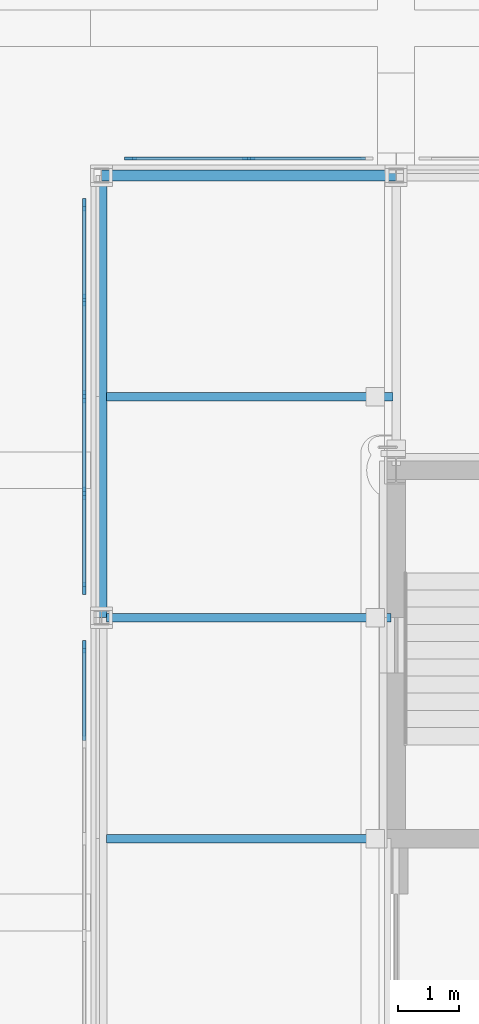
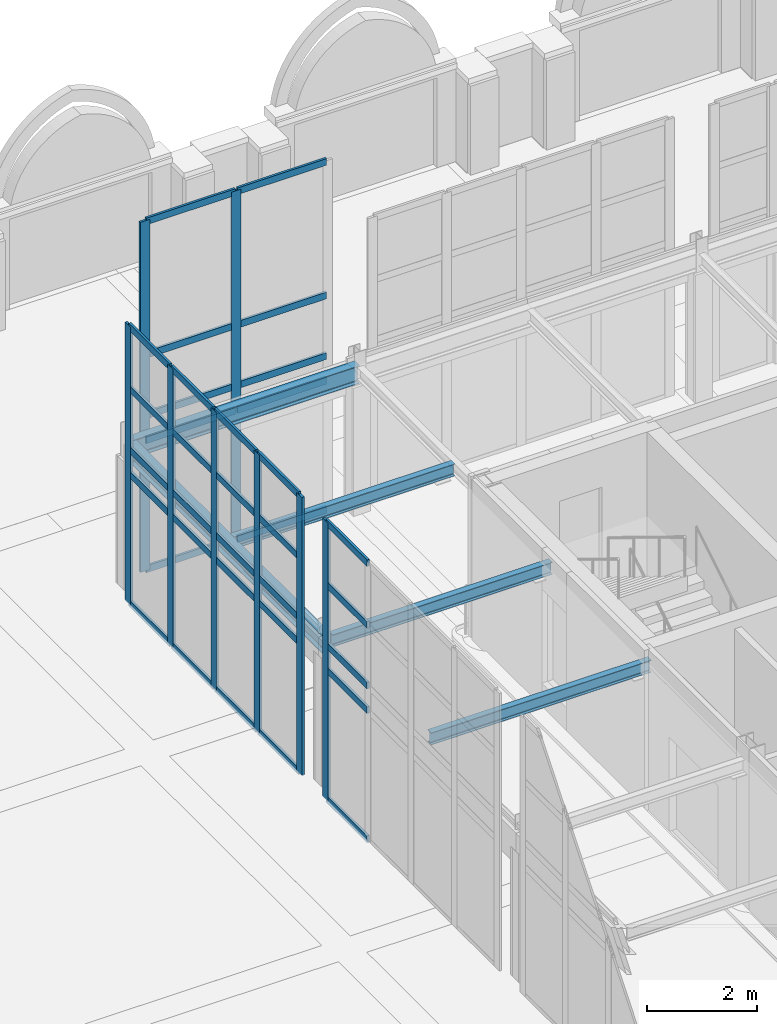
# One storey, part 49 of 143: 43 members, 5 beams, 3 elements without a shape of their own.
"""IFC4 building model written with IfcOpenShell, lengths in metres."""

import ifcopenshell
import ifcopenshell.guid

model = None  # the IFC model being written
_history = None  # IfcOwnerHistory: only IFC2X3 demands one
_inside = {}  # id of a spatial element -> (the spatial element, [elements in it])
_under = {}  # id of a project, library or spatial element -> (it, [spatial elements below it])
_declared = {}  # id of a project -> (the project, [libraries it declares])
_typed = {}  # id of a type object -> (the type object, [elements of that type])
_made_of = {}  # id of a material, layer set ... -> (it, [elements and type objects made of it])


def new_model(schema):
    """Start an empty IFC model of exactly this schema.

    Asked for "IFC4X3", IfcOpenShell would pick the latest addendum, in which some entities
    have other attributes; the version numbers below select the first issue.
    IFC2X3 requires an IfcOwnerHistory on every rooted entity: one is made here for all.
    """
    global model, _history
    if schema == "IFC4X3":
        model = ifcopenshell.file(schema_version=(4, 3, 0, 0))
    else:
        model = ifcopenshell.file(schema=schema)
    _inside.clear()
    _under.clear()
    _declared.clear()
    _typed.clear()
    _made_of.clear()
    _history = None
    if model.schema == "IFC2X3":
        org = make("IfcOrganization", Name="unknown")
        user = make(
            "IfcPersonAndOrganization",
            ThePerson=make("IfcPerson", FamilyName="unknown"),
            TheOrganization=org,
        )
        app = make(
            "IfcApplication",
            ApplicationDeveloper=org,
            Version="unknown",
            ApplicationFullName="unknown",
            ApplicationIdentifier="unknown",
        )
        _history = make(
            "IfcOwnerHistory",
            OwningUser=user,
            OwningApplication=app,
            ChangeAction="ADDED",
            CreationDate=0,
        )
    return model


def make(cls, **values):
    """One entity of the class cls with the attributes given. An attribute that is None is left unset."""
    return model.create_entity(
        cls, **{name: value for name, value in values.items() if value is not None}
    )


def rooted(cls, **values):
    """An entity with a GlobalId (a new one), such as an element, a storey or a relation."""
    return make(cls, GlobalId=ifcopenshell.guid.new(), OwnerHistory=_history, **values)


def si_unit(unit_type, name, prefix=None):
    """IfcSIUnit, for example si_unit("LENGTHUNIT", "METRE", prefix="MILLI")."""
    return make("IfcSIUnit", UnitType=unit_type, Prefix=prefix, Name=name)


def assignment(units):
    """IfcUnitAssignment: the units of a project."""
    return None if units is None else make("IfcUnitAssignment", Units=units)


def point(xyz):
    """IfcCartesianPoint."""
    return None if xyz is None else make("IfcCartesianPoint", Coordinates=xyz)


def direction(xyz):
    """IfcDirection."""
    return None if xyz is None else make("IfcDirection", DirectionRatios=xyz)


def frame(location, z_axis=None, x_axis=None):
    """IfcAxis2Placement3D, a coordinate frame: its origin and axes. An axis left out is left unset."""
    return make(
        "IfcAxis2Placement3D",
        Location=point(location),
        Axis=direction(z_axis),
        RefDirection=direction(x_axis),
    )


def frame_2d(location, x_axis=None):
    """IfcAxis2Placement2D, a coordinate frame in the plane: its origin and x axis."""
    return make(
        "IfcAxis2Placement2D", Location=point(location), RefDirection=direction(x_axis)
    )


def origin():
    """The frame at (0, 0, 0) with its axes left unset."""
    return frame((0.0, 0.0, 0.0))


def origin_2d():
    """The frame at (0, 0) in the plane with its x axis left unset."""
    return frame_2d((0.0, 0.0))


def place(relative_to, where):
    """IfcLocalPlacement: puts the frame where relative to a parent placement (None: the world)."""
    return make(
        "IfcLocalPlacement", PlacementRelTo=relative_to, RelativePlacement=where
    )


def context(
    kind, dimensions, precision=None, world=None, true_north=None, identifier=None
):
    """IfcGeometricRepresentationContext, for example the 3D "Model" context."""
    return make(
        "IfcGeometricRepresentationContext",
        ContextIdentifier=identifier,
        ContextType=kind,
        CoordinateSpaceDimension=dimensions,
        Precision=precision,
        WorldCoordinateSystem=world,
        TrueNorth=true_north,
    )


def subcontext(parent, identifier, kind, view, scale=None):
    """IfcGeometricRepresentationSubContext, for example "Body" below "Model"."""
    return make(
        "IfcGeometricRepresentationSubContext",
        ContextIdentifier=identifier,
        ContextType=kind,
        ParentContext=parent,
        TargetScale=scale,
        TargetView=view,
    )


def project(units=None, contexts=None):
    """IfcProject with its units and contexts."""
    return rooted(
        "IfcProject",
        Name="project",
        RepresentationContexts=contexts,
        UnitsInContext=assignment(units),
    )


def spatial(cls, under=None, at=None, **own):
    """A site, building, storey or space (cls), placed at a placement, below another one or the project."""
    s = rooted(cls, ObjectPlacement=at, **own)
    if under is not None:
        _under.setdefault(under.id(), (under, []))[1].append(s)
    return s


def profile(cls, at=None, kind="AREA", **sizes):
    """A parametric profile (cls). Its sizes go by their IFC names, for example OverallWidth=200.0."""
    return make(cls, ProfileType=kind, Position=at, **sizes)


def rectangle(**sizes):
    """IfcRectangleProfileDef."""
    return profile("IfcRectangleProfileDef", **sizes)


def i_section(**sizes):
    """IfcIShapeProfileDef."""
    return profile("IfcIShapeProfileDef", **sizes)


def extrude(swept, where, along, depth):
    """IfcExtrudedAreaSolid: the profile swept, set in the frame where, extruded along a direction by depth."""
    return make(
        "IfcExtrudedAreaSolid",
        SweptArea=swept,
        Position=where,
        ExtrudedDirection=direction(along),
        Depth=depth,
    )


def shape(context_of_items, identifier, shape_type, items):
    """IfcShapeRepresentation: the items that make up one representation, for example the "Body"."""
    return make(
        "IfcShapeRepresentation",
        ContextOfItems=context_of_items,
        RepresentationIdentifier=identifier,
        RepresentationType=shape_type,
        Items=items,
    )


def material(Name=None, Category=None):
    """IfcMaterial."""
    return make("IfcMaterial", Name=Name, Category=Category)


def material_profile(
    of_material, cross_section, Name=None, Category=None, Priority=None
):
    """IfcMaterialProfile: a cross section and its material."""
    return make(
        "IfcMaterialProfile",
        Name=Name,
        Material=of_material,
        Profile=cross_section,
        Priority=Priority,
        Category=Category,
    )


def profile_set(profiles, Name=None, composite=None):
    """IfcMaterialProfileSet."""
    return make(
        "IfcMaterialProfileSet",
        Name=Name,
        MaterialProfiles=profiles,
        CompositeProfile=composite,
    )


def made_of(thing, what):
    """Note that an element or type object is made of a material, layer set ...; save() writes the relation."""
    if what is not None:
        _made_of.setdefault(what.id(), (what, []))[1].append(thing)
    return thing


def type_object(cls, material=None, **own):
    """A type object (cls), such as IfcWallType, which elements share."""
    return made_of(rooted(cls, **own), material)


def element(
    cls,
    number,
    at=None,
    inside=None,
    cuts=None,
    type_object=None,
    material=None,
    context=None,
    identifier="Body",
    shape_type=None,
    held_by="IfcProductDefinitionShape",
    body=None,
    shapes=None,
    **own,
):
    """One element of the class cls, such as IfcWall. Its Tag is "e" and its number.

    at: its placement. inside: the storey or other place that contains it. cuts: it is an
    opening in that element (IfcRelVoidsElement). A single representation is given by context,
    identifier, shape_type and body (its items); several are given by shapes. held_by: the class
    of the entity that holds the representations. save() writes the other relations.
    """
    e = rooted(cls, Tag="e%d" % number, ObjectPlacement=at, **own)
    if body is not None:
        shapes = [shape(context, identifier, shape_type, body)]
    if shapes is not None:
        e.Representation = make(held_by, Representations=shapes)
    if inside is not None:
        _inside.setdefault(inside.id(), (inside, []))[1].append(e)
    if cuts is not None:
        rooted(
            "IfcRelVoidsElement", RelatingBuildingElement=cuts, RelatedOpeningElement=e
        )
    if type_object is not None:
        _typed.setdefault(type_object.id(), (type_object, []))[1].append(e)
    return made_of(e, material)


def aggregate(whole, parts):
    """IfcRelAggregates: a whole, such as a stair, and the parts it consists of."""
    return rooted("IfcRelAggregates", RelatingObject=whole, RelatedObjects=parts)


def save(model, path):
    """Write the relations noted so far, then the file.

    IfcRelAggregates (storeys below a building ...), IfcRelContainedInSpatialStructure (elements
    in a storey), IfcRelDefinesByType, IfcRelAssociatesMaterial and IfcRelDeclares: one each for
    every whole, place, type object, material and project.
    """
    for whole, parts in _under.values():
        aggregate(whole, parts)
    for where, things in _inside.values():
        rooted(
            "IfcRelContainedInSpatialStructure",
            RelatedElements=things,
            RelatingStructure=where,
        )
    for kind, things in _typed.values():
        rooted("IfcRelDefinesByType", RelatedObjects=things, RelatingType=kind)
    for what, things in _made_of.values():
        rooted("IfcRelAssociatesMaterial", RelatedObjects=things, RelatingMaterial=what)
    for by, libraries in _declared.values():
        rooted("IfcRelDeclares", RelatingContext=by, RelatedDefinitions=libraries)
    model.write(path)


model = new_model("IFC4")

# Units and contexts
model_context = context("Model", 3, precision=1e-05, world=origin(), true_north=direction((0.0, 1.0)))
body_context = subcontext(model_context, "Body", "Model", "MODEL_VIEW")
ifc_project = project(units=[si_unit("LENGTHUNIT", "METRE"), si_unit("AREAUNIT", "SQUARE_METRE"), si_unit("VOLUMEUNIT", "CUBIC_METRE"), si_unit("PLANEANGLEUNIT", "RADIAN"), si_unit("MASSUNIT", "GRAM", prefix="KILO")], contexts=[model_context])

# Site, building, storey
site_placement = place(None, origin())
site = spatial("IfcSite", under=ifc_project, at=site_placement, CompositionType="ELEMENT")
building_placement = place(site_placement, origin())
building = spatial("IfcBuilding", under=site, at=building_placement, Name="Kupolbacken Congress Centre", CompositionType="ELEMENT")
storey_placement = place(building_placement, frame((0.0, 0.0, 7.199951171875)))
storey = spatial("IfcBuildingStorey", under=building, at=storey_placement, Name="L02", CompositionType="ELEMENT", Elevation=7.199951171875)

# Beams
ifc_material_1 = material(Name="Steel S355", Category="steel")
ifc_material_profile_1 = material_profile(ifc_material_1, i_section(OverallWidth=0.135009765625, OverallDepth=0.27001953125, WebThickness=0.006591796875, FlangeThickness=0.01025390625, FilletRadius=0.014892578125, at=origin_2d()), Name="IPE 270")
ifc_profile_set_1 = profile_set([ifc_material_profile_1], Name="Steel S355")
beam_type_1 = type_object("IfcBeamType", Name="B03 beam IPE 270", PredefinedType="BEAM", material=ifc_profile_set_1)
for number, where, z_axis, x_axis, name in (
    (1, (64.719970703125, 138.0, 3.135009765625), (-1.0, 0.0, 0.0), (0.0, -1.0, 0.0), "E/T/portico/W/raft138"),
    (2, (64.719970703125, 141.60009765625, 3.135009765625), (-1.0, 0.0, 0.0), (0.0, -1.0, 0.0), "E/T/portico/W/raft141.6"),
):
    element("IfcBeam", number, at=place(storey_placement, frame(where, z_axis=z_axis, x_axis=x_axis)), inside=storey, type_object=beam_type_1, Name=name, PredefinedType="BEAM", context=body_context, shape_type="SweptSolid", body=[
        extrude(i_section(OverallWidth=0.135009765625, OverallDepth=0.27001953125, WebThickness=0.006591796875, FlangeThickness=0.01025390625, FilletRadius=0.014892578125, at=origin_2d()), origin(), (0.0, 0.0, 1.0), 4.635009765625),
    ])
beam_1_placement = place(storey_placement, frame((64.7451171875, 145.199951171875, 3.135009765625), z_axis=(-1.0, 0.0, 0.0), x_axis=(0.0, -1.0, 0.0)))
element("IfcBeam", 3, at=beam_1_placement, inside=storey, type_object=beam_type_1, Name="E/T/portico/W/raft145.2", PredefinedType="BEAM", context=body_context, shape_type="SweptSolid", body=[
    extrude(i_section(OverallWidth=0.135009765625, OverallDepth=0.27001953125, WebThickness=0.006591796875, FlangeThickness=0.01025390625, FilletRadius=0.014892578125, at=origin_2d()), origin(), (0.0, 0.0, 1.0), 4.66015625),
])
ifc_material_2 = material(Name="Steel S355", Category="steel")
ifc_material_profile_2 = material_profile(ifc_material_2, i_section(OverallWidth=0.179931640625, OverallDepth=0.39990234375, WebThickness=0.008544921875, FlangeThickness=0.013427734375, FilletRadius=0.02099609375, at=origin_2d()), Name="IPE 400")
ifc_profile_set_2 = profile_set([ifc_material_profile_2], Name="Steel S355")
beam_type_2 = type_object("IfcBeamType", Name="B07 beam IPE 400", PredefinedType="BEAM", material=ifc_profile_set_2)
beam_2_placement = place(storey_placement, frame((60.0, 141.60009765625, 3.070068359375), z_axis=(0.0, 1.0, 0.0), x_axis=(-1.0, 0.0, 0.0)))
element("IfcBeam", 4, at=beam_2_placement, inside=storey, type_object=beam_type_2, Name="E/T/portico/W/lintel141.6", PredefinedType="BEAM", context=body_context, shape_type="SweptSolid", body=[
    extrude(i_section(OverallWidth=0.179931640625, OverallDepth=0.39990234375, WebThickness=0.008544921875, FlangeThickness=0.013427734375, FilletRadius=0.02099609375, at=origin_2d()), origin(), (0.0, 0.0, 1.0), 7.099853515625),
])
beam_3_placement = place(storey_placement, frame((60.0, 148.800048828125, 3.070068359375), z_axis=(1.0, 0.0, 0.0), x_axis=(0.0, 1.0, 0.0)))
element("IfcBeam", 5, at=beam_3_placement, inside=storey, type_object=beam_type_2, Name="E/T/portico/N/lintel60", PredefinedType="BEAM", context=body_context, shape_type="SweptSolid", body=[
    extrude(i_section(OverallWidth=0.179931640625, OverallDepth=0.39990234375, WebThickness=0.008544921875, FlangeThickness=0.013427734375, FilletRadius=0.02099609375, at=origin_2d()), origin(), (0.0, 0.0, 1.0), 4.800048828125),
])

# Curtain wall, members
ifc_material_3 = material(Name="Aluminium mullion-transom frame with glass", Category="aluminium")
curtain_wall_type = type_object("IfcCurtainWallType", Name="CW1 curtain wall 7200x3600", PredefinedType="NOTDEFINED", material=ifc_material_3)
curtain_wall_1_placement = place(storey_placement, origin())
curtain_wall_1 = element("IfcCurtainWall", 6, at=curtain_wall_1_placement, inside=storey, type_object=curtain_wall_type, Name="E/T/portal/N/screen60/cw", PredefinedType="NOTDEFINED")
ifc_material_4 = material(Name="Aluminium alloy", Category="aluminium")
ifc_material_profile_3 = material_profile(ifc_material_4, rectangle(XDim=0.050048828125, YDim=0.199951171875, at=origin_2d()), Name="50 x 200")
ifc_profile_set_3 = profile_set([ifc_material_profile_3], Name="Aluminium alloy")
member_type_1 = type_object("IfcMemberType", Name="MU2 mullion 50x200", PredefinedType="MULLION", material=ifc_profile_set_3)
member_1_placement = place(storey_placement, frame((62.39990234375, 149.074951171875, 0.0), z_axis=(0.0, 0.0, 1.0), x_axis=(0.0, -1.0, 0.0)))
member_1 = element("IfcMember", 7, at=member_1_placement, type_object=member_type_1, Name="CW1 mullion 2", PredefinedType="MULLION", context=body_context, shape_type="SweptSolid", body=[
    extrude(rectangle(XDim=0.050048828125, YDim=0.199951171875, at=origin_2d()), origin(), (0.0, 0.0, 1.0), 7.800048828125),
])
member_2_placement = place(storey_placement, frame((60.47509765625, 149.074951171875, 0.0), z_axis=(0.0, 0.0, 1.0), x_axis=(0.0, -1.0, 0.0)))
member_2 = element("IfcMember", 8, at=member_2_placement, type_object=member_type_1, Name="CW1 mullion 3", PredefinedType="MULLION", context=body_context, shape_type="SweptSolid", body=[
    extrude(rectangle(XDim=0.050048828125, YDim=0.199951171875, at=origin_2d()), origin(), (0.0, 0.0, 1.0), 7.800048828125),
])

# Curtain wall, member
curtain_wall_2_placement = place(storey_placement, origin())
curtain_wall_2 = element("IfcCurtainWall", 9, at=curtain_wall_2_placement, inside=storey, type_object=curtain_wall_type, Name="E/T/portal/W/screen134.4/cw", PredefinedType="NOTDEFINED")
member_3_placement = place(storey_placement, frame((59.719970703125, 141.125, 0.0), z_axis=(0.0, 0.0, 1.0), x_axis=(1.0, 0.0, 0.0)))
member_3 = element("IfcMember", 10, at=member_3_placement, type_object=member_type_1, Name="CW1 mullion 1", PredefinedType="MULLION", context=body_context, shape_type="SweptSolid", body=[
    extrude(rectangle(XDim=0.050048828125, YDim=0.199951171875, at=origin_2d()), origin(), (0.0, 0.0, 1.0), 6.199951171875),
])

# Curtain wall, members
curtain_wall_3_placement = place(storey_placement, origin())
curtain_wall_3 = element("IfcCurtainWall", 11, at=curtain_wall_3_placement, inside=storey, type_object=curtain_wall_type, Name="E/T/portal/W/screen141.6/cw", PredefinedType="NOTDEFINED")
member_4_placement = place(storey_placement, frame((59.719970703125, 148.324951171875, 0.0), z_axis=(0.0, 0.0, 1.0), x_axis=(1.0, 0.0, 0.0)))
member_4 = element("IfcMember", 12, at=member_4_placement, type_object=member_type_1, Name="CW1 mullion 1", PredefinedType="MULLION", context=body_context, shape_type="SweptSolid", body=[
    extrude(rectangle(XDim=0.050048828125, YDim=0.199951171875, at=origin_2d()), origin(), (0.0, 0.0, 1.0), 6.199951171875),
])
member_5_placement = place(storey_placement, frame((59.719970703125, 146.77490234375, 0.0), z_axis=(0.0, 0.0, 1.0), x_axis=(1.0, 0.0, 0.0)))
member_5 = element("IfcMember", 13, at=member_5_placement, type_object=member_type_1, Name="CW1 mullion 2", PredefinedType="MULLION", context=body_context, shape_type="SweptSolid", body=[
    extrude(rectangle(XDim=0.050048828125, YDim=0.199951171875, at=origin_2d()), origin(), (0.0, 0.0, 1.0), 6.199951171875),
])
member_6_placement = place(storey_placement, frame((59.719970703125, 145.199951171875, 0.0), z_axis=(0.0, 0.0, 1.0), x_axis=(1.0, 0.0, 0.0)))
member_6 = element("IfcMember", 14, at=member_6_placement, type_object=member_type_1, Name="CW1 mullion 3", PredefinedType="MULLION", context=body_context, shape_type="SweptSolid", body=[
    extrude(rectangle(XDim=0.050048828125, YDim=0.199951171875, at=origin_2d()), origin(), (0.0, 0.0, 1.0), 6.199951171875),
])
member_7_placement = place(storey_placement, frame((59.719970703125, 143.625, 0.0), z_axis=(0.0, 0.0, 1.0), x_axis=(1.0, 0.0, 0.0)))
member_7 = element("IfcMember", 15, at=member_7_placement, type_object=member_type_1, Name="CW1 mullion 4", PredefinedType="MULLION", context=body_context, shape_type="SweptSolid", body=[
    extrude(rectangle(XDim=0.050048828125, YDim=0.199951171875, at=origin_2d()), origin(), (0.0, 0.0, 1.0), 6.199951171875),
])
member_8_placement = place(storey_placement, frame((59.719970703125, 142.074951171875, 0.0), z_axis=(0.0, 0.0, 1.0), x_axis=(1.0, 0.0, 0.0)))
member_8 = element("IfcMember", 16, at=member_8_placement, type_object=member_type_1, Name="CW1 mullion 5", PredefinedType="MULLION", context=body_context, shape_type="SweptSolid", body=[
    extrude(rectangle(XDim=0.050048828125, YDim=0.199951171875, at=origin_2d()), origin(), (0.0, 0.0, 1.0), 6.199951171875),
])

# Member
ifc_material_5 = material(Name="Aluminium alloy", Category="aluminium")
ifc_material_profile_4 = material_profile(ifc_material_5, rectangle(XDim=0.050048828125, YDim=0.14990234375, at=origin_2d()), Name="50 x 150")
ifc_profile_set_4 = profile_set([ifc_material_profile_4], Name="Aluminium alloy")
member_type_2 = type_object("IfcMemberType", Name="TR2 transom 50x150", PredefinedType="MULLION", material=ifc_profile_set_4)
member_9_placement = place(storey_placement, frame((64.300048828125, 149.074951171875, 0.025146484375), z_axis=(-1.0, 0.0, 0.0), x_axis=(0.0, -1.0, 0.0)))
member_9 = element("IfcMember", 17, at=member_9_placement, type_object=member_type_2, Name="CW1 transom 1.1", PredefinedType="MULLION", context=body_context, shape_type="SweptSolid", body=[
    extrude(rectangle(XDim=0.050048828125, YDim=0.14990234375, at=origin_2d()), origin(), (0.0, 0.0, 1.0), 1.875),
])

member_10_placement = place(storey_placement, frame((64.300048828125, 149.074951171875, 2.900146484375), z_axis=(-1.0, 0.0, 0.0), x_axis=(0.0, -1.0, 0.0)))
member_10 = element("IfcMember", 18, at=member_10_placement, type_object=member_type_2, Name="CW1 transom 1.2", PredefinedType="MULLION", context=body_context, shape_type="SweptSolid", body=[
    extrude(rectangle(XDim=0.050048828125, YDim=0.14990234375, at=origin_2d()), origin(), (0.0, 0.0, 1.0), 1.875),
])

member_11_placement = place(storey_placement, frame((64.300048828125, 149.074951171875, 3.449951171875), z_axis=(-1.0, 0.0, 0.0), x_axis=(0.0, -1.0, 0.0)))
member_11 = element("IfcMember", 19, at=member_11_placement, type_object=member_type_2, Name="CW1 transom 1.3", PredefinedType="MULLION", context=body_context, shape_type="SweptSolid", body=[
    extrude(rectangle(XDim=0.050048828125, YDim=0.14990234375, at=origin_2d()), origin(), (0.0, 0.0, 1.0), 1.875),
])

member_12_placement = place(storey_placement, frame((64.300048828125, 149.074951171875, 4.800048828125), z_axis=(-1.0, 0.0, 0.0), x_axis=(0.0, -1.0, 0.0)))
member_12 = element("IfcMember", 20, at=member_12_placement, type_object=member_type_2, Name="CW1 transom 1.4", PredefinedType="MULLION", context=body_context, shape_type="SweptSolid", body=[
    extrude(rectangle(XDim=0.050048828125, YDim=0.14990234375, at=origin_2d()), origin(), (0.0, 0.0, 1.0), 1.875),
])

member_13_placement = place(storey_placement, frame((64.300048828125, 149.074951171875, 7.775146484375), z_axis=(-1.0, 0.0, 0.0), x_axis=(0.0, -1.0, 0.0)))
member_13 = element("IfcMember", 21, at=member_13_placement, type_object=member_type_2, Name="CW1 transom 1.5", PredefinedType="MULLION", context=body_context, shape_type="SweptSolid", body=[
    extrude(rectangle(XDim=0.050048828125, YDim=0.14990234375, at=origin_2d()), origin(), (0.0, 0.0, 1.0), 1.875),
])

member_14_placement = place(storey_placement, frame((62.375, 149.074951171875, 0.025146484375), z_axis=(-1.0, 0.0, 0.0), x_axis=(0.0, -1.0, 0.0)))
member_14 = element("IfcMember", 22, at=member_14_placement, type_object=member_type_2, Name="CW1 transom 2.1", PredefinedType="MULLION", context=body_context, shape_type="SweptSolid", body=[
    extrude(rectangle(XDim=0.050048828125, YDim=0.14990234375, at=origin_2d()), origin(), (0.0, 0.0, 1.0), 1.875),
])

member_15_placement = place(storey_placement, frame((62.375, 149.074951171875, 2.900146484375), z_axis=(-1.0, 0.0, 0.0), x_axis=(0.0, -1.0, 0.0)))
member_15 = element("IfcMember", 23, at=member_15_placement, type_object=member_type_2, Name="CW1 transom 2.2", PredefinedType="MULLION", context=body_context, shape_type="SweptSolid", body=[
    extrude(rectangle(XDim=0.050048828125, YDim=0.14990234375, at=origin_2d()), origin(), (0.0, 0.0, 1.0), 1.875),
])

member_16_placement = place(storey_placement, frame((62.375, 149.074951171875, 3.449951171875), z_axis=(-1.0, 0.0, 0.0), x_axis=(0.0, -1.0, 0.0)))
member_16 = element("IfcMember", 24, at=member_16_placement, type_object=member_type_2, Name="CW1 transom 2.3", PredefinedType="MULLION", context=body_context, shape_type="SweptSolid", body=[
    extrude(rectangle(XDim=0.050048828125, YDim=0.14990234375, at=origin_2d()), origin(), (0.0, 0.0, 1.0), 1.875),
])

member_17_placement = place(storey_placement, frame((62.375, 149.074951171875, 4.800048828125), z_axis=(-1.0, 0.0, 0.0), x_axis=(0.0, -1.0, 0.0)))
member_17 = element("IfcMember", 25, at=member_17_placement, type_object=member_type_2, Name="CW1 transom 2.4", PredefinedType="MULLION", context=body_context, shape_type="SweptSolid", body=[
    extrude(rectangle(XDim=0.050048828125, YDim=0.14990234375, at=origin_2d()), origin(), (0.0, 0.0, 1.0), 1.875),
])

member_18_placement = place(storey_placement, frame((62.375, 149.074951171875, 7.775146484375), z_axis=(-1.0, 0.0, 0.0), x_axis=(0.0, -1.0, 0.0)))
member_18 = element("IfcMember", 26, at=member_18_placement, type_object=member_type_2, Name="CW1 transom 2.5", PredefinedType="MULLION", context=body_context, shape_type="SweptSolid", body=[
    extrude(rectangle(XDim=0.050048828125, YDim=0.14990234375, at=origin_2d()), origin(), (0.0, 0.0, 1.0), 1.875),
])

aggregate(curtain_wall_1, [member_1, member_2, member_9, member_10, member_11, member_12, member_13, member_14, member_15, member_16, member_17, member_18])

member_19_placement = place(storey_placement, frame((59.719970703125, 141.10009765625, 0.025146484375), z_axis=(0.0, -1.0, 0.0), x_axis=(1.0, 0.0, 0.0)))
member_19 = element("IfcMember", 27, at=member_19_placement, type_object=member_type_2, Name="CW1 transom 1.1", PredefinedType="MULLION", context=body_context, shape_type="SweptSolid", body=[
    extrude(rectangle(XDim=0.050048828125, YDim=0.14990234375, at=origin_2d()), origin(), (0.0, 0.0, 1.0), 1.5),
])

member_20_placement = place(storey_placement, frame((59.719970703125, 141.10009765625, 2.900146484375), z_axis=(0.0, -1.0, 0.0), x_axis=(1.0, 0.0, 0.0)))
member_20 = element("IfcMember", 28, at=member_20_placement, type_object=member_type_2, Name="CW1 transom 1.2", PredefinedType="MULLION", context=body_context, shape_type="SweptSolid", body=[
    extrude(rectangle(XDim=0.050048828125, YDim=0.14990234375, at=origin_2d()), origin(), (0.0, 0.0, 1.0), 1.5),
])

member_21_placement = place(storey_placement, frame((59.719970703125, 141.10009765625, 3.449951171875), z_axis=(0.0, -1.0, 0.0), x_axis=(1.0, 0.0, 0.0)))
member_21 = element("IfcMember", 29, at=member_21_placement, type_object=member_type_2, Name="CW1 transom 1.3", PredefinedType="MULLION", context=body_context, shape_type="SweptSolid", body=[
    extrude(rectangle(XDim=0.050048828125, YDim=0.14990234375, at=origin_2d()), origin(), (0.0, 0.0, 1.0), 1.5),
])

member_22_placement = place(storey_placement, frame((59.719970703125, 141.10009765625, 4.800048828125), z_axis=(0.0, -1.0, 0.0), x_axis=(1.0, 0.0, 0.0)))
member_22 = element("IfcMember", 30, at=member_22_placement, type_object=member_type_2, Name="CW1 transom 1.4", PredefinedType="MULLION", context=body_context, shape_type="SweptSolid", body=[
    extrude(rectangle(XDim=0.050048828125, YDim=0.14990234375, at=origin_2d()), origin(), (0.0, 0.0, 1.0), 1.5),
])

member_23_placement = place(storey_placement, frame((59.719970703125, 141.10009765625, 6.175048828125), z_axis=(0.0, -1.0, 0.0), x_axis=(1.0, 0.0, 0.0)))
member_23 = element("IfcMember", 31, at=member_23_placement, type_object=member_type_2, Name="CW1 transom 1.5", PredefinedType="MULLION", context=body_context, shape_type="SweptSolid", body=[
    extrude(rectangle(XDim=0.050048828125, YDim=0.14990234375, at=origin_2d()), origin(), (0.0, 0.0, 1.0), 1.5),
])

aggregate(curtain_wall_2, [member_3, member_19, member_20, member_21, member_22, member_23])

member_24_placement = place(storey_placement, frame((59.719970703125, 148.300048828125, 0.025146484375), z_axis=(0.0, -1.0, 0.0), x_axis=(1.0, 0.0, 0.0)))
member_24 = element("IfcMember", 32, at=member_24_placement, type_object=member_type_2, Name="CW1 transom 1.1", PredefinedType="MULLION", context=body_context, shape_type="SweptSolid", body=[
    extrude(rectangle(XDim=0.050048828125, YDim=0.14990234375, at=origin_2d()), origin(), (0.0, 0.0, 1.0), 1.5),
])

member_25_placement = place(storey_placement, frame((59.719970703125, 148.300048828125, 2.900146484375), z_axis=(0.0, -1.0, 0.0), x_axis=(1.0, 0.0, 0.0)))
member_25 = element("IfcMember", 33, at=member_25_placement, type_object=member_type_2, Name="CW1 transom 1.2", PredefinedType="MULLION", context=body_context, shape_type="SweptSolid", body=[
    extrude(rectangle(XDim=0.050048828125, YDim=0.14990234375, at=origin_2d()), origin(), (0.0, 0.0, 1.0), 1.5),
])

member_26_placement = place(storey_placement, frame((59.719970703125, 148.300048828125, 3.449951171875), z_axis=(0.0, -1.0, 0.0), x_axis=(1.0, 0.0, 0.0)))
member_26 = element("IfcMember", 34, at=member_26_placement, type_object=member_type_2, Name="CW1 transom 1.3", PredefinedType="MULLION", context=body_context, shape_type="SweptSolid", body=[
    extrude(rectangle(XDim=0.050048828125, YDim=0.14990234375, at=origin_2d()), origin(), (0.0, 0.0, 1.0), 1.5),
])

member_27_placement = place(storey_placement, frame((59.719970703125, 148.300048828125, 4.800048828125), z_axis=(0.0, -1.0, 0.0), x_axis=(1.0, 0.0, 0.0)))
member_27 = element("IfcMember", 35, at=member_27_placement, type_object=member_type_2, Name="CW1 transom 1.4", PredefinedType="MULLION", context=body_context, shape_type="SweptSolid", body=[
    extrude(rectangle(XDim=0.050048828125, YDim=0.14990234375, at=origin_2d()), origin(), (0.0, 0.0, 1.0), 1.5),
])

member_28_placement = place(storey_placement, frame((59.719970703125, 148.300048828125, 6.175048828125), z_axis=(0.0, -1.0, 0.0), x_axis=(1.0, 0.0, 0.0)))
member_28 = element("IfcMember", 36, at=member_28_placement, type_object=member_type_2, Name="CW1 transom 1.5", PredefinedType="MULLION", context=body_context, shape_type="SweptSolid", body=[
    extrude(rectangle(XDim=0.050048828125, YDim=0.14990234375, at=origin_2d()), origin(), (0.0, 0.0, 1.0), 1.5),
])

member_29_placement = place(storey_placement, frame((59.719970703125, 146.75, 0.025146484375), z_axis=(0.0, -1.0, 0.0), x_axis=(1.0, 0.0, 0.0)))
member_29 = element("IfcMember", 37, at=member_29_placement, type_object=member_type_2, Name="CW1 transom 2.1", PredefinedType="MULLION", context=body_context, shape_type="SweptSolid", body=[
    extrude(rectangle(XDim=0.050048828125, YDim=0.14990234375, at=origin_2d()), origin(), (0.0, 0.0, 1.0), 1.52490234375),
])

member_30_placement = place(storey_placement, frame((59.719970703125, 146.75, 2.900146484375), z_axis=(0.0, -1.0, 0.0), x_axis=(1.0, 0.0, 0.0)))
member_30 = element("IfcMember", 38, at=member_30_placement, type_object=member_type_2, Name="CW1 transom 2.2", PredefinedType="MULLION", context=body_context, shape_type="SweptSolid", body=[
    extrude(rectangle(XDim=0.050048828125, YDim=0.14990234375, at=origin_2d()), origin(), (0.0, 0.0, 1.0), 1.52490234375),
])

member_31_placement = place(storey_placement, frame((59.719970703125, 146.75, 3.449951171875), z_axis=(0.0, -1.0, 0.0), x_axis=(1.0, 0.0, 0.0)))
member_31 = element("IfcMember", 39, at=member_31_placement, type_object=member_type_2, Name="CW1 transom 2.3", PredefinedType="MULLION", context=body_context, shape_type="SweptSolid", body=[
    extrude(rectangle(XDim=0.050048828125, YDim=0.14990234375, at=origin_2d()), origin(), (0.0, 0.0, 1.0), 1.52490234375),
])

member_32_placement = place(storey_placement, frame((59.719970703125, 146.75, 4.800048828125), z_axis=(0.0, -1.0, 0.0), x_axis=(1.0, 0.0, 0.0)))
member_32 = element("IfcMember", 40, at=member_32_placement, type_object=member_type_2, Name="CW1 transom 2.4", PredefinedType="MULLION", context=body_context, shape_type="SweptSolid", body=[
    extrude(rectangle(XDim=0.050048828125, YDim=0.14990234375, at=origin_2d()), origin(), (0.0, 0.0, 1.0), 1.52490234375),
])

member_33_placement = place(storey_placement, frame((59.719970703125, 146.75, 6.175048828125), z_axis=(0.0, -1.0, 0.0), x_axis=(1.0, 0.0, 0.0)))
member_33 = element("IfcMember", 41, at=member_33_placement, type_object=member_type_2, Name="CW1 transom 2.5", PredefinedType="MULLION", context=body_context, shape_type="SweptSolid", body=[
    extrude(rectangle(XDim=0.050048828125, YDim=0.14990234375, at=origin_2d()), origin(), (0.0, 0.0, 1.0), 1.52490234375),
])

member_34_placement = place(storey_placement, frame((59.719970703125, 145.175048828125, 0.025146484375), z_axis=(0.0, -1.0, 0.0), x_axis=(1.0, 0.0, 0.0)))
member_34 = element("IfcMember", 42, at=member_34_placement, type_object=member_type_2, Name="CW1 transom 3.1", PredefinedType="MULLION", context=body_context, shape_type="SweptSolid", body=[
    extrude(rectangle(XDim=0.050048828125, YDim=0.14990234375, at=origin_2d()), origin(), (0.0, 0.0, 1.0), 1.525146484375),
])

member_35_placement = place(storey_placement, frame((59.719970703125, 145.175048828125, 2.900146484375), z_axis=(0.0, -1.0, 0.0), x_axis=(1.0, 0.0, 0.0)))
member_35 = element("IfcMember", 43, at=member_35_placement, type_object=member_type_2, Name="CW1 transom 3.2", PredefinedType="MULLION", context=body_context, shape_type="SweptSolid", body=[
    extrude(rectangle(XDim=0.050048828125, YDim=0.14990234375, at=origin_2d()), origin(), (0.0, 0.0, 1.0), 1.525146484375),
])

member_36_placement = place(storey_placement, frame((59.719970703125, 145.175048828125, 3.449951171875), z_axis=(0.0, -1.0, 0.0), x_axis=(1.0, 0.0, 0.0)))
member_36 = element("IfcMember", 44, at=member_36_placement, type_object=member_type_2, Name="CW1 transom 3.3", PredefinedType="MULLION", context=body_context, shape_type="SweptSolid", body=[
    extrude(rectangle(XDim=0.050048828125, YDim=0.14990234375, at=origin_2d()), origin(), (0.0, 0.0, 1.0), 1.525146484375),
])

member_37_placement = place(storey_placement, frame((59.719970703125, 145.175048828125, 4.800048828125), z_axis=(0.0, -1.0, 0.0), x_axis=(1.0, 0.0, 0.0)))
member_37 = element("IfcMember", 45, at=member_37_placement, type_object=member_type_2, Name="CW1 transom 3.4", PredefinedType="MULLION", context=body_context, shape_type="SweptSolid", body=[
    extrude(rectangle(XDim=0.050048828125, YDim=0.14990234375, at=origin_2d()), origin(), (0.0, 0.0, 1.0), 1.525146484375),
])

member_38_placement = place(storey_placement, frame((59.719970703125, 145.175048828125, 6.175048828125), z_axis=(0.0, -1.0, 0.0), x_axis=(1.0, 0.0, 0.0)))
member_38 = element("IfcMember", 46, at=member_38_placement, type_object=member_type_2, Name="CW1 transom 3.5", PredefinedType="MULLION", context=body_context, shape_type="SweptSolid", body=[
    extrude(rectangle(XDim=0.050048828125, YDim=0.14990234375, at=origin_2d()), origin(), (0.0, 0.0, 1.0), 1.525146484375),
])

member_39_placement = place(storey_placement, frame((59.719970703125, 143.60009765625, 0.025146484375), z_axis=(0.0, -1.0, 0.0), x_axis=(1.0, 0.0, 0.0)))
member_39 = element("IfcMember", 47, at=member_39_placement, type_object=member_type_2, Name="CW1 transom 4.1", PredefinedType="MULLION", context=body_context, shape_type="SweptSolid", body=[
    extrude(rectangle(XDim=0.050048828125, YDim=0.14990234375, at=origin_2d()), origin(), (0.0, 0.0, 1.0), 1.5),
])

member_40_placement = place(storey_placement, frame((59.719970703125, 143.60009765625, 2.900146484375), z_axis=(0.0, -1.0, 0.0), x_axis=(1.0, 0.0, 0.0)))
member_40 = element("IfcMember", 48, at=member_40_placement, type_object=member_type_2, Name="CW1 transom 4.2", PredefinedType="MULLION", context=body_context, shape_type="SweptSolid", body=[
    extrude(rectangle(XDim=0.050048828125, YDim=0.14990234375, at=origin_2d()), origin(), (0.0, 0.0, 1.0), 1.5),
])

member_41_placement = place(storey_placement, frame((59.719970703125, 143.60009765625, 3.449951171875), z_axis=(0.0, -1.0, 0.0), x_axis=(1.0, 0.0, 0.0)))
member_41 = element("IfcMember", 49, at=member_41_placement, type_object=member_type_2, Name="CW1 transom 4.3", PredefinedType="MULLION", context=body_context, shape_type="SweptSolid", body=[
    extrude(rectangle(XDim=0.050048828125, YDim=0.14990234375, at=origin_2d()), origin(), (0.0, 0.0, 1.0), 1.5),
])

member_42_placement = place(storey_placement, frame((59.719970703125, 143.60009765625, 4.800048828125), z_axis=(0.0, -1.0, 0.0), x_axis=(1.0, 0.0, 0.0)))
member_42 = element("IfcMember", 50, at=member_42_placement, type_object=member_type_2, Name="CW1 transom 4.4", PredefinedType="MULLION", context=body_context, shape_type="SweptSolid", body=[
    extrude(rectangle(XDim=0.050048828125, YDim=0.14990234375, at=origin_2d()), origin(), (0.0, 0.0, 1.0), 1.5),
])

member_43_placement = place(storey_placement, frame((59.719970703125, 143.60009765625, 6.175048828125), z_axis=(0.0, -1.0, 0.0), x_axis=(1.0, 0.0, 0.0)))
member_43 = element("IfcMember", 51, at=member_43_placement, type_object=member_type_2, Name="CW1 transom 4.5", PredefinedType="MULLION", context=body_context, shape_type="SweptSolid", body=[
    extrude(rectangle(XDim=0.050048828125, YDim=0.14990234375, at=origin_2d()), origin(), (0.0, 0.0, 1.0), 1.5),
])

aggregate(curtain_wall_3, [member_4, member_5, member_6, member_7, member_8, member_24, member_25, member_26, member_27, member_28, member_29, member_30, member_31, member_32, member_33, member_34, member_35, member_36, member_37, member_38, member_39, member_40, member_41, member_42, member_43])

save(model, "model.ifc")
